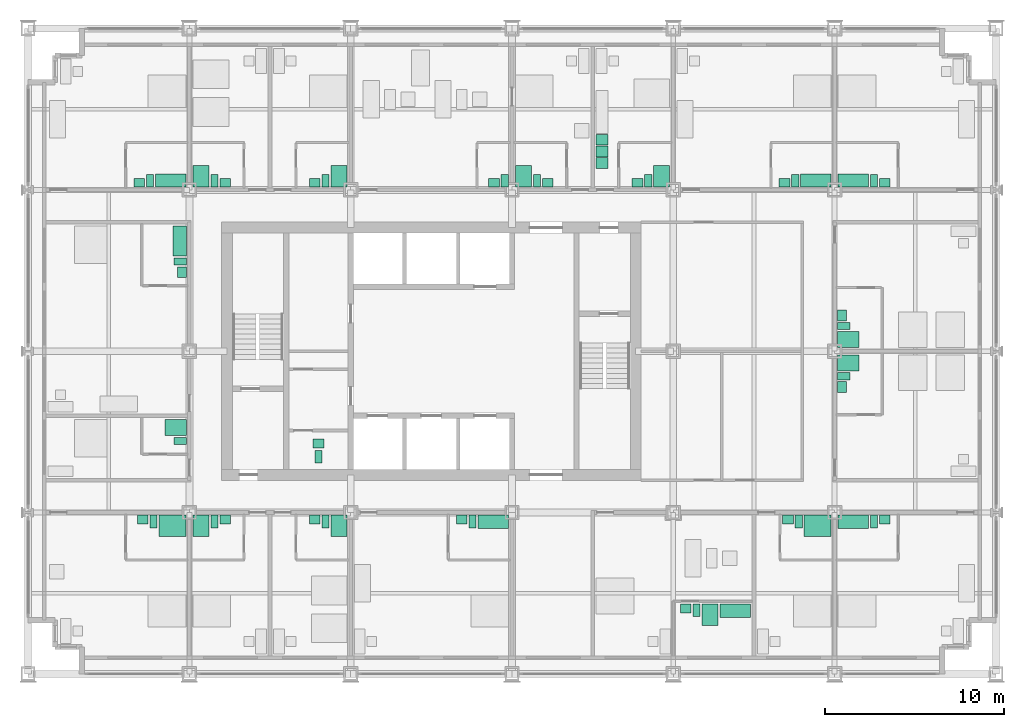
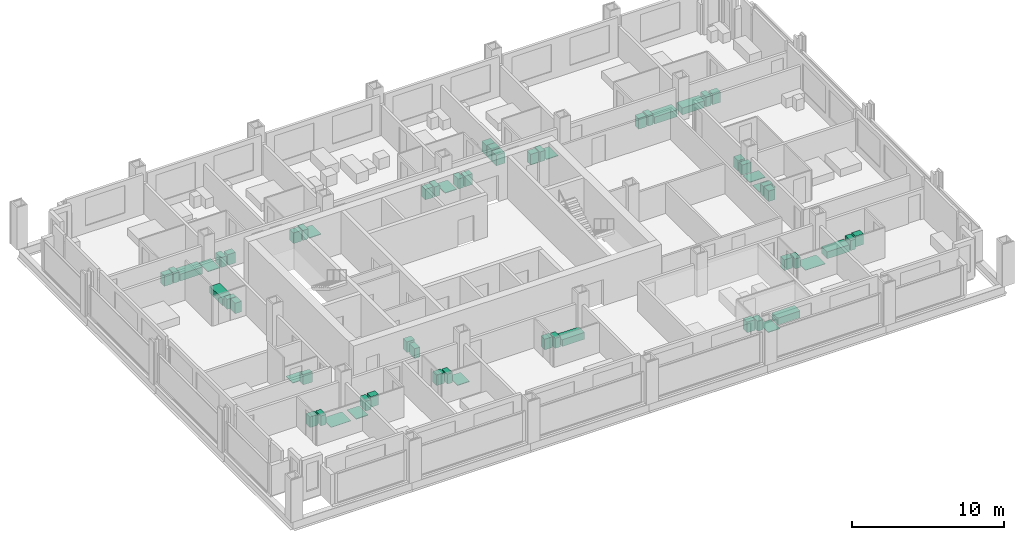
# One storey, part 17 of 18: 58 sanitary terminals, 3 electric appliances.
"""IFC4 building model written with IfcOpenShell, lengths in metres."""

import ifcopenshell
import ifcopenshell.guid

model = None  # the IFC model being written
_history = None  # IfcOwnerHistory: only IFC2X3 demands one
_inside = {}  # id of a spatial element -> (the spatial element, [elements in it])
_under = {}  # id of a project, library or spatial element -> (it, [spatial elements below it])
_declared = {}  # id of a project -> (the project, [libraries it declares])
_typed = {}  # id of a type object -> (the type object, [elements of that type])
_made_of = {}  # id of a material, layer set ... -> (it, [elements and type objects made of it])


def new_model(schema):
    """Start an empty IFC model of exactly this schema.

    Asked for "IFC4X3", IfcOpenShell would pick the latest addendum, in which some entities
    have other attributes; the version numbers below select the first issue.
    IFC2X3 requires an IfcOwnerHistory on every rooted entity: one is made here for all.
    """
    global model, _history
    if schema == "IFC4X3":
        model = ifcopenshell.file(schema_version=(4, 3, 0, 0))
    else:
        model = ifcopenshell.file(schema=schema)
    _inside.clear()
    _under.clear()
    _declared.clear()
    _typed.clear()
    _made_of.clear()
    _history = None
    if model.schema == "IFC2X3":
        org = make("IfcOrganization", Name="unknown")
        user = make(
            "IfcPersonAndOrganization",
            ThePerson=make("IfcPerson", FamilyName="unknown"),
            TheOrganization=org,
        )
        app = make(
            "IfcApplication",
            ApplicationDeveloper=org,
            Version="unknown",
            ApplicationFullName="unknown",
            ApplicationIdentifier="unknown",
        )
        _history = make(
            "IfcOwnerHistory",
            OwningUser=user,
            OwningApplication=app,
            ChangeAction="ADDED",
            CreationDate=0,
        )
    return model


def make(cls, **values):
    """One entity of the class cls with the attributes given. An attribute that is None is left unset."""
    return model.create_entity(
        cls, **{name: value for name, value in values.items() if value is not None}
    )


def rooted(cls, **values):
    """An entity with a GlobalId (a new one), such as an element, a storey or a relation."""
    return make(cls, GlobalId=ifcopenshell.guid.new(), OwnerHistory=_history, **values)


def si_unit(unit_type, name, prefix=None):
    """IfcSIUnit, for example si_unit("LENGTHUNIT", "METRE", prefix="MILLI")."""
    return make("IfcSIUnit", UnitType=unit_type, Prefix=prefix, Name=name)


def assignment(units):
    """IfcUnitAssignment: the units of a project."""
    return None if units is None else make("IfcUnitAssignment", Units=units)


def point(xyz):
    """IfcCartesianPoint."""
    return None if xyz is None else make("IfcCartesianPoint", Coordinates=xyz)


def direction(xyz):
    """IfcDirection."""
    return None if xyz is None else make("IfcDirection", DirectionRatios=xyz)


def frame(location, z_axis=None, x_axis=None):
    """IfcAxis2Placement3D, a coordinate frame: its origin and axes. An axis left out is left unset."""
    return make(
        "IfcAxis2Placement3D",
        Location=point(location),
        Axis=direction(z_axis),
        RefDirection=direction(x_axis),
    )


def frame_2d(location, x_axis=None):
    """IfcAxis2Placement2D, a coordinate frame in the plane: its origin and x axis."""
    return make(
        "IfcAxis2Placement2D", Location=point(location), RefDirection=direction(x_axis)
    )


def origin():
    """The frame at (0, 0, 0) with its axes left unset."""
    return frame((0.0, 0.0, 0.0))


def origin_2d():
    """The frame at (0, 0) in the plane with its x axis left unset."""
    return frame_2d((0.0, 0.0))


def place(relative_to, where):
    """IfcLocalPlacement: puts the frame where relative to a parent placement (None: the world)."""
    return make(
        "IfcLocalPlacement", PlacementRelTo=relative_to, RelativePlacement=where
    )


def context(
    kind, dimensions, precision=None, world=None, true_north=None, identifier=None
):
    """IfcGeometricRepresentationContext, for example the 3D "Model" context."""
    return make(
        "IfcGeometricRepresentationContext",
        ContextIdentifier=identifier,
        ContextType=kind,
        CoordinateSpaceDimension=dimensions,
        Precision=precision,
        WorldCoordinateSystem=world,
        TrueNorth=true_north,
    )


def subcontext(parent, identifier, kind, view, scale=None):
    """IfcGeometricRepresentationSubContext, for example "Body" below "Model"."""
    return make(
        "IfcGeometricRepresentationSubContext",
        ContextIdentifier=identifier,
        ContextType=kind,
        ParentContext=parent,
        TargetScale=scale,
        TargetView=view,
    )


def project(units=None, contexts=None):
    """IfcProject with its units and contexts."""
    return rooted(
        "IfcProject",
        Name="project",
        RepresentationContexts=contexts,
        UnitsInContext=assignment(units),
    )


def spatial(cls, under=None, at=None, **own):
    """A site, building, storey or space (cls), placed at a placement, below another one or the project."""
    s = rooted(cls, ObjectPlacement=at, **own)
    if under is not None:
        _under.setdefault(under.id(), (under, []))[1].append(s)
    return s


def profile(cls, at=None, kind="AREA", **sizes):
    """A parametric profile (cls). Its sizes go by their IFC names, for example OverallWidth=200.0."""
    return make(cls, ProfileType=kind, Position=at, **sizes)


def rectangle(**sizes):
    """IfcRectangleProfileDef."""
    return profile("IfcRectangleProfileDef", **sizes)


def extrude(swept, where, along, depth):
    """IfcExtrudedAreaSolid: the profile swept, set in the frame where, extruded along a direction by depth."""
    return make(
        "IfcExtrudedAreaSolid",
        SweptArea=swept,
        Position=where,
        ExtrudedDirection=direction(along),
        Depth=depth,
    )


def shape(context_of_items, identifier, shape_type, items):
    """IfcShapeRepresentation: the items that make up one representation, for example the "Body"."""
    return make(
        "IfcShapeRepresentation",
        ContextOfItems=context_of_items,
        RepresentationIdentifier=identifier,
        RepresentationType=shape_type,
        Items=items,
    )


def made_of(thing, what):
    """Note that an element or type object is made of a material, layer set ...; save() writes the relation."""
    if what is not None:
        _made_of.setdefault(what.id(), (what, []))[1].append(thing)
    return thing


def element(
    cls,
    number,
    at=None,
    inside=None,
    cuts=None,
    type_object=None,
    material=None,
    context=None,
    identifier="Body",
    shape_type=None,
    held_by="IfcProductDefinitionShape",
    body=None,
    shapes=None,
    **own,
):
    """One element of the class cls, such as IfcWall. Its Tag is "e" and its number.

    at: its placement. inside: the storey or other place that contains it. cuts: it is an
    opening in that element (IfcRelVoidsElement). A single representation is given by context,
    identifier, shape_type and body (its items); several are given by shapes. held_by: the class
    of the entity that holds the representations. save() writes the other relations.
    """
    e = rooted(cls, Tag="e%d" % number, ObjectPlacement=at, **own)
    if body is not None:
        shapes = [shape(context, identifier, shape_type, body)]
    if shapes is not None:
        e.Representation = make(held_by, Representations=shapes)
    if inside is not None:
        _inside.setdefault(inside.id(), (inside, []))[1].append(e)
    if cuts is not None:
        rooted(
            "IfcRelVoidsElement", RelatingBuildingElement=cuts, RelatedOpeningElement=e
        )
    if type_object is not None:
        _typed.setdefault(type_object.id(), (type_object, []))[1].append(e)
    return made_of(e, material)


def aggregate(whole, parts):
    """IfcRelAggregates: a whole, such as a stair, and the parts it consists of."""
    return rooted("IfcRelAggregates", RelatingObject=whole, RelatedObjects=parts)


def save(model, path):
    """Write the relations noted so far, then the file.

    IfcRelAggregates (storeys below a building ...), IfcRelContainedInSpatialStructure (elements
    in a storey), IfcRelDefinesByType, IfcRelAssociatesMaterial and IfcRelDeclares: one each for
    every whole, place, type object, material and project.
    """
    for whole, parts in _under.values():
        aggregate(whole, parts)
    for where, things in _inside.values():
        rooted(
            "IfcRelContainedInSpatialStructure",
            RelatedElements=things,
            RelatingStructure=where,
        )
    for kind, things in _typed.values():
        rooted("IfcRelDefinesByType", RelatedObjects=things, RelatingType=kind)
    for what, things in _made_of.values():
        rooted("IfcRelAssociatesMaterial", RelatedObjects=things, RelatingMaterial=what)
    for by, libraries in _declared.values():
        rooted("IfcRelDeclares", RelatingContext=by, RelatedDefinitions=libraries)
    model.write(path)


model = new_model("IFC4")

# Units and contexts
model_context = context("Model", 3, precision=1e-05, world=origin(), true_north=direction((0.0, 1.0)))
body_context = subcontext(model_context, "Body", "Model", "MODEL_VIEW")
ifc_project = project(units=[si_unit("LENGTHUNIT", "METRE"), si_unit("AREAUNIT", "SQUARE_METRE"), si_unit("VOLUMEUNIT", "CUBIC_METRE"), si_unit("PLANEANGLEUNIT", "RADIAN"), si_unit("MASSUNIT", "GRAM", prefix="KILO")], contexts=[model_context])

# Site, building, storey
site_placement = place(None, origin())
site = spatial("IfcSite", under=ifc_project, at=site_placement, CompositionType="ELEMENT")
building_placement = place(site_placement, origin())
building = spatial("IfcBuilding", under=site, at=building_placement, Name="Loomwork Tower", CompositionType="ELEMENT")
storey_placement = place(building_placement, frame((0.0, 0.0, 34.800048828125)))
storey = spatial("IfcBuildingStorey", under=building, at=storey_placement, Name="L07", CompositionType="ELEMENT", Elevation=34.800048828125)

# Sanitary terminals
sanitary_terminal_1_placement = place(storey_placement, frame((8.050048828125, 8.25, 0.0), z_axis=(0.0, 0.0, 1.0), x_axis=(1.0, 0.0, 0.0)))
element("IfcSanitaryTerminal", 1, at=sanitary_terminal_1_placement, inside=storey, Name="Roll-in shower floor L07", PredefinedType="SHOWER", context=body_context, shape_type="SweptSolid", body=[
    extrude(rectangle(XDim=1.5, YDim=1.199951171875, at=origin_2d()), origin(), (0.0, 0.0, 1.0), 0.030029296875),
])
sanitary_terminal_2_placement = place(storey_placement, frame((7.0, 8.5, 0.0), z_axis=(0.0, 0.0, 1.0), x_axis=(1.0, 0.0, 0.0)))
element("IfcSanitaryTerminal", 2, at=sanitary_terminal_2_placement, inside=storey, Name="WC L07", PredefinedType="TOILETPAN", context=body_context, shape_type="SweptSolid", body=[
    extrude(rectangle(XDim=0.39990234375, YDim=0.699951171875, at=origin_2d()), origin(), (0.0, 0.0, 1.0), 0.800048828125),
])
sanitary_terminal_3_placement = place(storey_placement, frame((6.39990234375, 8.60009765625, 0.0), z_axis=(0.0, 0.0, 1.0), x_axis=(1.0, 0.0, 0.0)))
element("IfcSanitaryTerminal", 3, at=sanitary_terminal_3_placement, inside=storey, Name="Basin vanity L07", PredefinedType="WASHHANDBASIN", context=body_context, shape_type="SweptSolid", body=[
    extrude(rectangle(XDim=0.60009765625, YDim=0.5, at=origin_2d()), origin(), (0.0, 0.0, 1.0), 0.85009765625),
])
sanitary_terminal_4_placement = place(storey_placement, frame((9.64990234375, 8.25, 0.0), z_axis=(0.0, 0.0, 1.0), x_axis=(1.0, 0.0, 0.0)))
element("IfcSanitaryTerminal", 4, at=sanitary_terminal_4_placement, inside=storey, Name="Shower tray L07", PredefinedType="SHOWER", context=body_context, shape_type="SweptSolid", body=[
    extrude(rectangle(XDim=0.89990234375, YDim=1.199951171875, at=origin_2d()), origin(), (0.0, 0.0, 1.0), 0.050048828125),
])
sanitary_terminal_5_placement = place(storey_placement, frame((10.39990234375, 8.5, 0.0), z_axis=(0.0, 0.0, 1.0), x_axis=(1.0, 0.0, 0.0)))
element("IfcSanitaryTerminal", 5, at=sanitary_terminal_5_placement, inside=storey, Name="WC L07", PredefinedType="TOILETPAN", context=body_context, shape_type="SweptSolid", body=[
    extrude(rectangle(XDim=0.39990234375, YDim=0.699951171875, at=origin_2d()), origin(), (0.0, 0.0, 1.0), 0.800048828125),
])
sanitary_terminal_6_placement = place(storey_placement, frame((11.0, 8.60009765625, 0.0), z_axis=(0.0, 0.0, 1.0), x_axis=(1.0, 0.0, 0.0)))
element("IfcSanitaryTerminal", 6, at=sanitary_terminal_6_placement, inside=storey, Name="Basin vanity L07", PredefinedType="WASHHANDBASIN", context=body_context, shape_type="SweptSolid", body=[
    extrude(rectangle(XDim=0.60009765625, YDim=0.5, at=origin_2d()), origin(), (0.0, 0.0, 1.0), 0.85009765625),
])
sanitary_terminal_7_placement = place(storey_placement, frame((17.35009765625, 8.25, 0.0), z_axis=(0.0, 0.0, 1.0), x_axis=(1.0, 0.0, 0.0)))
element("IfcSanitaryTerminal", 7, at=sanitary_terminal_7_placement, inside=storey, Name="Shower tray L07", PredefinedType="SHOWER", context=body_context, shape_type="SweptSolid", body=[
    extrude(rectangle(XDim=0.89990234375, YDim=1.199951171875, at=origin_2d()), origin(), (0.0, 0.0, 1.0), 0.050048828125),
])
sanitary_terminal_8_placement = place(storey_placement, frame((16.60009765625, 8.5, 0.0), z_axis=(0.0, 0.0, 1.0), x_axis=(1.0, 0.0, 0.0)))
element("IfcSanitaryTerminal", 8, at=sanitary_terminal_8_placement, inside=storey, Name="WC L07", PredefinedType="TOILETPAN", context=body_context, shape_type="SweptSolid", body=[
    extrude(rectangle(XDim=0.39990234375, YDim=0.699951171875, at=origin_2d()), origin(), (0.0, 0.0, 1.0), 0.800048828125),
])
sanitary_terminal_9_placement = place(storey_placement, frame((16.0, 8.60009765625, 0.0), z_axis=(0.0, 0.0, 1.0), x_axis=(1.0, 0.0, 0.0)))
element("IfcSanitaryTerminal", 9, at=sanitary_terminal_9_placement, inside=storey, Name="Basin vanity L07", PredefinedType="WASHHANDBASIN", context=body_context, shape_type="SweptSolid", body=[
    extrude(rectangle(XDim=0.60009765625, YDim=0.5, at=origin_2d()), origin(), (0.0, 0.0, 1.0), 0.85009765625),
])
sanitary_terminal_10_placement = place(storey_placement, frame((25.949951171875, 8.47509765625, 0.0), z_axis=(0.0, 0.0, 1.0), x_axis=(1.0, 0.0, 0.0)))
element("IfcSanitaryTerminal", 10, at=sanitary_terminal_10_placement, inside=storey, Name="Bath L07", PredefinedType="BATH", context=body_context, shape_type="SweptSolid", body=[
    extrude(rectangle(XDim=1.699951171875, YDim=0.75, at=origin_2d()), origin(), (0.0, 0.0, 1.0), 0.550048828125),
])
sanitary_terminal_11_placement = place(storey_placement, frame((24.800048828125, 8.5, 0.0), z_axis=(0.0, 0.0, 1.0), x_axis=(1.0, 0.0, 0.0)))
element("IfcSanitaryTerminal", 11, at=sanitary_terminal_11_placement, inside=storey, Name="WC L07", PredefinedType="TOILETPAN", context=body_context, shape_type="SweptSolid", body=[
    extrude(rectangle(XDim=0.39990234375, YDim=0.699951171875, at=origin_2d()), origin(), (0.0, 0.0, 1.0), 0.800048828125),
])
sanitary_terminal_12_placement = place(storey_placement, frame((24.199951171875, 8.60009765625, 0.0), z_axis=(0.0, 0.0, 1.0), x_axis=(1.0, 0.0, 0.0)))
element("IfcSanitaryTerminal", 12, at=sanitary_terminal_12_placement, inside=storey, Name="Basin vanity L07", PredefinedType="WASHHANDBASIN", context=body_context, shape_type="SweptSolid", body=[
    extrude(rectangle(XDim=0.60009765625, YDim=0.5, at=origin_2d()), origin(), (0.0, 0.0, 1.0), 0.85009765625),
])
sanitary_terminal_13_placement = place(storey_placement, frame((39.449951171875, 3.52490234375, 0.0), z_axis=(0.0, 0.0, 1.0), x_axis=(1.0, 0.0, 0.0)))
element("IfcSanitaryTerminal", 13, at=sanitary_terminal_13_placement, inside=storey, Name="Bath L07", PredefinedType="BATH", context=body_context, shape_type="SweptSolid", body=[
    extrude(rectangle(XDim=1.699951171875, YDim=0.75, at=origin_2d()), origin(), (0.0, 0.0, 1.0), 0.550048828125),
])
sanitary_terminal_14_placement = place(storey_placement, frame((38.050048828125, 3.300048828125, 0.0), z_axis=(0.0, 0.0, 1.0), x_axis=(1.0, 0.0, 0.0)))
element("IfcSanitaryTerminal", 14, at=sanitary_terminal_14_placement, inside=storey, Name="Shower tray L07", PredefinedType="SHOWER", context=body_context, shape_type="SweptSolid", body=[
    extrude(rectangle(XDim=0.89990234375, YDim=1.199951171875, at=origin_2d()), origin(), (0.0, 0.0, 1.0), 0.050048828125),
])
sanitary_terminal_15_placement = place(storey_placement, frame((37.300048828125, 3.550048828125, 0.0), z_axis=(0.0, 0.0, 1.0), x_axis=(1.0, 0.0, 0.0)))
element("IfcSanitaryTerminal", 15, at=sanitary_terminal_15_placement, inside=storey, Name="WC L07", PredefinedType="TOILETPAN", context=body_context, shape_type="SweptSolid", body=[
    extrude(rectangle(XDim=0.39990234375, YDim=0.699951171875, at=origin_2d()), origin(), (0.0, 0.0, 1.0), 0.800048828125),
])
sanitary_terminal_16_placement = place(storey_placement, frame((36.699951171875, 3.64990234375, 0.0), z_axis=(0.0, 0.0, 1.0), x_axis=(1.0, 0.0, 0.0)))
element("IfcSanitaryTerminal", 16, at=sanitary_terminal_16_placement, inside=storey, Name="Basin vanity L07", PredefinedType="WASHHANDBASIN", context=body_context, shape_type="SweptSolid", body=[
    extrude(rectangle(XDim=0.60009765625, YDim=0.5, at=origin_2d()), origin(), (0.0, 0.0, 1.0), 0.85009765625),
])
sanitary_terminal_17_placement = place(storey_placement, frame((44.050048828125, 8.25, 0.0), z_axis=(0.0, 0.0, 1.0), x_axis=(1.0, 0.0, 0.0)))
element("IfcSanitaryTerminal", 17, at=sanitary_terminal_17_placement, inside=storey, Name="Roll-in shower floor L07", PredefinedType="SHOWER", context=body_context, shape_type="SweptSolid", body=[
    extrude(rectangle(XDim=1.5, YDim=1.199951171875, at=origin_2d()), origin(), (0.0, 0.0, 1.0), 0.030029296875),
])
sanitary_terminal_18_placement = place(storey_placement, frame((43.0, 8.5, 0.0), z_axis=(0.0, 0.0, 1.0), x_axis=(1.0, 0.0, 0.0)))
element("IfcSanitaryTerminal", 18, at=sanitary_terminal_18_placement, inside=storey, Name="WC L07", PredefinedType="TOILETPAN", context=body_context, shape_type="SweptSolid", body=[
    extrude(rectangle(XDim=0.39990234375, YDim=0.699951171875, at=origin_2d()), origin(), (0.0, 0.0, 1.0), 0.800048828125),
])
sanitary_terminal_19_placement = place(storey_placement, frame((42.39990234375, 8.60009765625, 0.0), z_axis=(0.0, 0.0, 1.0), x_axis=(1.0, 0.0, 0.0)))
element("IfcSanitaryTerminal", 19, at=sanitary_terminal_19_placement, inside=storey, Name="Basin vanity L07", PredefinedType="WASHHANDBASIN", context=body_context, shape_type="SweptSolid", body=[
    extrude(rectangle(XDim=0.60009765625, YDim=0.5, at=origin_2d()), origin(), (0.0, 0.0, 1.0), 0.85009765625),
])
sanitary_terminal_20_placement = place(storey_placement, frame((46.050048828125, 8.47509765625, 0.0), z_axis=(0.0, 0.0, 1.0), x_axis=(1.0, 0.0, 0.0)))
element("IfcSanitaryTerminal", 20, at=sanitary_terminal_20_placement, inside=storey, Name="Bath L07", PredefinedType="BATH", context=body_context, shape_type="SweptSolid", body=[
    extrude(rectangle(XDim=1.699951171875, YDim=0.75, at=origin_2d()), origin(), (0.0, 0.0, 1.0), 0.550048828125),
])
sanitary_terminal_21_placement = place(storey_placement, frame((47.199951171875, 8.5, 0.0), z_axis=(0.0, 0.0, 1.0), x_axis=(1.0, 0.0, 0.0)))
element("IfcSanitaryTerminal", 21, at=sanitary_terminal_21_placement, inside=storey, Name="WC L07", PredefinedType="TOILETPAN", context=body_context, shape_type="SweptSolid", body=[
    extrude(rectangle(XDim=0.39990234375, YDim=0.699951171875, at=origin_2d()), origin(), (0.0, 0.0, 1.0), 0.800048828125),
])
sanitary_terminal_22_placement = place(storey_placement, frame((47.800048828125, 8.60009765625, 0.0), z_axis=(0.0, 0.0, 1.0), x_axis=(1.0, 0.0, 0.0)))
element("IfcSanitaryTerminal", 22, at=sanitary_terminal_22_placement, inside=storey, Name="Basin vanity L07", PredefinedType="WASHHANDBASIN", context=body_context, shape_type="SweptSolid", body=[
    extrude(rectangle(XDim=0.60009765625, YDim=0.5, at=origin_2d()), origin(), (0.0, 0.0, 1.0), 0.85009765625),
])
sanitary_terminal_23_placement = place(storey_placement, frame((7.949951171875, 27.52490234375, 0.0), z_axis=(0.0, 0.0, 1.0), x_axis=(1.0, 0.0, 0.0)))
element("IfcSanitaryTerminal", 23, at=sanitary_terminal_23_placement, inside=storey, Name="Bath L07", PredefinedType="BATH", context=body_context, shape_type="SweptSolid", body=[
    extrude(rectangle(XDim=1.699951171875, YDim=0.75, at=origin_2d()), origin(), (0.0, 0.0, 1.0), 0.550048828125),
])
sanitary_terminal_24_placement = place(storey_placement, frame((6.800048828125, 27.5, 0.0), z_axis=(0.0, 0.0, 1.0), x_axis=(1.0, 0.0, 0.0)))
element("IfcSanitaryTerminal", 24, at=sanitary_terminal_24_placement, inside=storey, Name="WC L07", PredefinedType="TOILETPAN", context=body_context, shape_type="SweptSolid", body=[
    extrude(rectangle(XDim=0.39990234375, YDim=0.699951171875, at=origin_2d()), origin(), (0.0, 0.0, 1.0), 0.800048828125),
])
sanitary_terminal_25_placement = place(storey_placement, frame((6.199951171875, 27.39990234375, 0.0), z_axis=(0.0, 0.0, 1.0), x_axis=(1.0, 0.0, 0.0)))
element("IfcSanitaryTerminal", 25, at=sanitary_terminal_25_placement, inside=storey, Name="Basin vanity L07", PredefinedType="WASHHANDBASIN", context=body_context, shape_type="SweptSolid", body=[
    extrude(rectangle(XDim=0.60009765625, YDim=0.5, at=origin_2d()), origin(), (0.0, 0.0, 1.0), 0.85009765625),
])
sanitary_terminal_26_placement = place(storey_placement, frame((9.64990234375, 27.75, 0.0), z_axis=(0.0, 0.0, 1.0), x_axis=(1.0, 0.0, 0.0)))
element("IfcSanitaryTerminal", 26, at=sanitary_terminal_26_placement, inside=storey, Name="Shower tray L07", PredefinedType="SHOWER", context=body_context, shape_type="SweptSolid", body=[
    extrude(rectangle(XDim=0.89990234375, YDim=1.199951171875, at=origin_2d()), origin(), (0.0, 0.0, 1.0), 0.050048828125),
])
sanitary_terminal_27_placement = place(storey_placement, frame((10.39990234375, 27.5, 0.0), z_axis=(0.0, 0.0, 1.0), x_axis=(1.0, 0.0, 0.0)))
element("IfcSanitaryTerminal", 27, at=sanitary_terminal_27_placement, inside=storey, Name="WC L07", PredefinedType="TOILETPAN", context=body_context, shape_type="SweptSolid", body=[
    extrude(rectangle(XDim=0.39990234375, YDim=0.699951171875, at=origin_2d()), origin(), (0.0, 0.0, 1.0), 0.800048828125),
])
sanitary_terminal_28_placement = place(storey_placement, frame((11.0, 27.39990234375, 0.0), z_axis=(0.0, 0.0, 1.0), x_axis=(1.0, 0.0, 0.0)))
element("IfcSanitaryTerminal", 28, at=sanitary_terminal_28_placement, inside=storey, Name="Basin vanity L07", PredefinedType="WASHHANDBASIN", context=body_context, shape_type="SweptSolid", body=[
    extrude(rectangle(XDim=0.60009765625, YDim=0.5, at=origin_2d()), origin(), (0.0, 0.0, 1.0), 0.85009765625),
])
sanitary_terminal_29_placement = place(storey_placement, frame((17.35009765625, 27.75, 0.0), z_axis=(0.0, 0.0, 1.0), x_axis=(1.0, 0.0, 0.0)))
element("IfcSanitaryTerminal", 29, at=sanitary_terminal_29_placement, inside=storey, Name="Shower tray L07", PredefinedType="SHOWER", context=body_context, shape_type="SweptSolid", body=[
    extrude(rectangle(XDim=0.89990234375, YDim=1.199951171875, at=origin_2d()), origin(), (0.0, 0.0, 1.0), 0.050048828125),
])
sanitary_terminal_30_placement = place(storey_placement, frame((16.60009765625, 27.5, 0.0), z_axis=(0.0, 0.0, 1.0), x_axis=(1.0, 0.0, 0.0)))
element("IfcSanitaryTerminal", 30, at=sanitary_terminal_30_placement, inside=storey, Name="WC L07", PredefinedType="TOILETPAN", context=body_context, shape_type="SweptSolid", body=[
    extrude(rectangle(XDim=0.39990234375, YDim=0.699951171875, at=origin_2d()), origin(), (0.0, 0.0, 1.0), 0.800048828125),
])
sanitary_terminal_31_placement = place(storey_placement, frame((16.0, 27.39990234375, 0.0), z_axis=(0.0, 0.0, 1.0), x_axis=(1.0, 0.0, 0.0)))
element("IfcSanitaryTerminal", 31, at=sanitary_terminal_31_placement, inside=storey, Name="Basin vanity L07", PredefinedType="WASHHANDBASIN", context=body_context, shape_type="SweptSolid", body=[
    extrude(rectangle(XDim=0.60009765625, YDim=0.5, at=origin_2d()), origin(), (0.0, 0.0, 1.0), 0.85009765625),
])
sanitary_terminal_32_placement = place(storey_placement, frame((26.60009765625, 27.5, 0.0), z_axis=(0.0, 0.0, 1.0), x_axis=(1.0, 0.0, 0.0)))
element("IfcSanitaryTerminal", 32, at=sanitary_terminal_32_placement, inside=storey, Name="WC L07", PredefinedType="TOILETPAN", context=body_context, shape_type="SweptSolid", body=[
    extrude(rectangle(XDim=0.39990234375, YDim=0.699951171875, at=origin_2d()), origin(), (0.0, 0.0, 1.0), 0.800048828125),
])
sanitary_terminal_33_placement = place(storey_placement, frame((26.0, 27.39990234375, 0.0), z_axis=(0.0, 0.0, 1.0), x_axis=(1.0, 0.0, 0.0)))
element("IfcSanitaryTerminal", 33, at=sanitary_terminal_33_placement, inside=storey, Name="Basin vanity L07", PredefinedType="WASHHANDBASIN", context=body_context, shape_type="SweptSolid", body=[
    extrude(rectangle(XDim=0.60009765625, YDim=0.5, at=origin_2d()), origin(), (0.0, 0.0, 1.0), 0.85009765625),
])
sanitary_terminal_34_placement = place(storey_placement, frame((27.64990234375, 27.75, 0.0), z_axis=(0.0, 0.0, 1.0), x_axis=(1.0, 0.0, 0.0)))
element("IfcSanitaryTerminal", 34, at=sanitary_terminal_34_placement, inside=storey, Name="Shower tray L07", PredefinedType="SHOWER", context=body_context, shape_type="SweptSolid", body=[
    extrude(rectangle(XDim=0.89990234375, YDim=1.199951171875, at=origin_2d()), origin(), (0.0, 0.0, 1.0), 0.050048828125),
])
sanitary_terminal_35_placement = place(storey_placement, frame((28.39990234375, 27.5, 0.0), z_axis=(0.0, 0.0, 1.0), x_axis=(1.0, 0.0, 0.0)))
element("IfcSanitaryTerminal", 35, at=sanitary_terminal_35_placement, inside=storey, Name="WC L07", PredefinedType="TOILETPAN", context=body_context, shape_type="SweptSolid", body=[
    extrude(rectangle(XDim=0.39990234375, YDim=0.699951171875, at=origin_2d()), origin(), (0.0, 0.0, 1.0), 0.800048828125),
])
sanitary_terminal_36_placement = place(storey_placement, frame((29.0, 27.39990234375, 0.0), z_axis=(0.0, 0.0, 1.0), x_axis=(1.0, 0.0, 0.0)))
element("IfcSanitaryTerminal", 36, at=sanitary_terminal_36_placement, inside=storey, Name="Basin vanity L07", PredefinedType="WASHHANDBASIN", context=body_context, shape_type="SweptSolid", body=[
    extrude(rectangle(XDim=0.60009765625, YDim=0.5, at=origin_2d()), origin(), (0.0, 0.0, 1.0), 0.85009765625),
])
sanitary_terminal_37_placement = place(storey_placement, frame((35.35009765625, 27.75, 0.0), z_axis=(0.0, 0.0, 1.0), x_axis=(1.0, 0.0, 0.0)))
element("IfcSanitaryTerminal", 37, at=sanitary_terminal_37_placement, inside=storey, Name="Shower tray L07", PredefinedType="SHOWER", context=body_context, shape_type="SweptSolid", body=[
    extrude(rectangle(XDim=0.89990234375, YDim=1.199951171875, at=origin_2d()), origin(), (0.0, 0.0, 1.0), 0.050048828125),
])
sanitary_terminal_38_placement = place(storey_placement, frame((34.60009765625, 27.5, 0.0), z_axis=(0.0, 0.0, 1.0), x_axis=(1.0, 0.0, 0.0)))
element("IfcSanitaryTerminal", 38, at=sanitary_terminal_38_placement, inside=storey, Name="WC L07", PredefinedType="TOILETPAN", context=body_context, shape_type="SweptSolid", body=[
    extrude(rectangle(XDim=0.39990234375, YDim=0.699951171875, at=origin_2d()), origin(), (0.0, 0.0, 1.0), 0.800048828125),
])
sanitary_terminal_39_placement = place(storey_placement, frame((34.0, 27.39990234375, 0.0), z_axis=(0.0, 0.0, 1.0), x_axis=(1.0, 0.0, 0.0)))
element("IfcSanitaryTerminal", 39, at=sanitary_terminal_39_placement, inside=storey, Name="Basin vanity L07", PredefinedType="WASHHANDBASIN", context=body_context, shape_type="SweptSolid", body=[
    extrude(rectangle(XDim=0.60009765625, YDim=0.5, at=origin_2d()), origin(), (0.0, 0.0, 1.0), 0.85009765625),
])

# Electric appliances
electric_appliance_1_placement = place(storey_placement, frame((32.02490234375, 28.5, 0.0), z_axis=(0.0, 0.0, 1.0), x_axis=(1.0, 0.0, 0.0)))
element("IfcElectricAppliance", 40, at=electric_appliance_1_placement, inside=storey, Name="Refrigerator L07", PredefinedType="REFRIGERATOR", context=body_context, shape_type="SweptSolid", body=[
    extrude(rectangle(XDim=0.64990234375, YDim=0.60009765625, at=origin_2d()), origin(), (0.0, 0.0, 1.0), 0.85009765625),
])
electric_appliance_2_placement = place(storey_placement, frame((32.02490234375, 29.14990234375, 0.0), z_axis=(0.0, 0.0, 1.0), x_axis=(1.0, 0.0, 0.0)))
element("IfcElectricAppliance", 41, at=electric_appliance_2_placement, inside=storey, Name="Two-ring cooktop and oven L07", PredefinedType="ELECTRICCOOKER", context=body_context, shape_type="SweptSolid", body=[
    extrude(rectangle(XDim=0.64990234375, YDim=0.60009765625, at=origin_2d()), origin(), (0.0, 0.0, 1.0), 0.89990234375),
])
electric_appliance_3_placement = place(storey_placement, frame((32.02490234375, 29.800048828125, 0.0), z_axis=(0.0, 0.0, 1.0), x_axis=(1.0, 0.0, 0.0)))
element("IfcElectricAppliance", 42, at=electric_appliance_3_placement, inside=storey, Name="Dishwasher L07", PredefinedType="DISHWASHER", context=body_context, shape_type="SweptSolid", body=[
    extrude(rectangle(XDim=0.64990234375, YDim=0.60009765625, at=origin_2d()), origin(), (0.0, 0.0, 1.0), 0.85009765625),
])

# Sanitary terminals
sanitary_terminal_40_placement = place(storey_placement, frame((43.949951171875, 27.52490234375, 0.0), z_axis=(0.0, 0.0, 1.0), x_axis=(1.0, 0.0, 0.0)))
element("IfcSanitaryTerminal", 43, at=sanitary_terminal_40_placement, inside=storey, Name="Bath L07", PredefinedType="BATH", context=body_context, shape_type="SweptSolid", body=[
    extrude(rectangle(XDim=1.699951171875, YDim=0.75, at=origin_2d()), origin(), (0.0, 0.0, 1.0), 0.550048828125),
])
sanitary_terminal_41_placement = place(storey_placement, frame((42.800048828125, 27.5, 0.0), z_axis=(0.0, 0.0, 1.0), x_axis=(1.0, 0.0, 0.0)))
element("IfcSanitaryTerminal", 44, at=sanitary_terminal_41_placement, inside=storey, Name="WC L07", PredefinedType="TOILETPAN", context=body_context, shape_type="SweptSolid", body=[
    extrude(rectangle(XDim=0.39990234375, YDim=0.699951171875, at=origin_2d()), origin(), (0.0, 0.0, 1.0), 0.800048828125),
])
sanitary_terminal_42_placement = place(storey_placement, frame((42.199951171875, 27.39990234375, 0.0), z_axis=(0.0, 0.0, 1.0), x_axis=(1.0, 0.0, 0.0)))
element("IfcSanitaryTerminal", 45, at=sanitary_terminal_42_placement, inside=storey, Name="Basin vanity L07", PredefinedType="WASHHANDBASIN", context=body_context, shape_type="SweptSolid", body=[
    extrude(rectangle(XDim=0.60009765625, YDim=0.5, at=origin_2d()), origin(), (0.0, 0.0, 1.0), 0.85009765625),
])
sanitary_terminal_43_placement = place(storey_placement, frame((46.050048828125, 27.52490234375, 0.0), z_axis=(0.0, 0.0, 1.0), x_axis=(1.0, 0.0, 0.0)))
element("IfcSanitaryTerminal", 46, at=sanitary_terminal_43_placement, inside=storey, Name="Bath L07", PredefinedType="BATH", context=body_context, shape_type="SweptSolid", body=[
    extrude(rectangle(XDim=1.699951171875, YDim=0.75, at=origin_2d()), origin(), (0.0, 0.0, 1.0), 0.550048828125),
])
sanitary_terminal_44_placement = place(storey_placement, frame((47.199951171875, 27.5, 0.0), z_axis=(0.0, 0.0, 1.0), x_axis=(1.0, 0.0, 0.0)))
element("IfcSanitaryTerminal", 47, at=sanitary_terminal_44_placement, inside=storey, Name="WC L07", PredefinedType="TOILETPAN", context=body_context, shape_type="SweptSolid", body=[
    extrude(rectangle(XDim=0.39990234375, YDim=0.699951171875, at=origin_2d()), origin(), (0.0, 0.0, 1.0), 0.800048828125),
])
sanitary_terminal_45_placement = place(storey_placement, frame((47.800048828125, 27.39990234375, 0.0), z_axis=(0.0, 0.0, 1.0), x_axis=(1.0, 0.0, 0.0)))
element("IfcSanitaryTerminal", 48, at=sanitary_terminal_45_placement, inside=storey, Name="Basin vanity L07", PredefinedType="WASHHANDBASIN", context=body_context, shape_type="SweptSolid", body=[
    extrude(rectangle(XDim=0.60009765625, YDim=0.5, at=origin_2d()), origin(), (0.0, 0.0, 1.0), 0.85009765625),
])
sanitary_terminal_46_placement = place(storey_placement, frame((8.25, 13.75, 0.0), z_axis=(0.0, 0.0, 1.0), x_axis=(1.0, 0.0, 0.0)))
element("IfcSanitaryTerminal", 49, at=sanitary_terminal_46_placement, inside=storey, Name="Shower tray L07", PredefinedType="SHOWER", context=body_context, shape_type="SweptSolid", body=[
    extrude(rectangle(XDim=1.199951171875, YDim=0.89990234375, at=origin_2d()), origin(), (0.0, 0.0, 1.0), 0.050048828125),
])
sanitary_terminal_47_placement = place(storey_placement, frame((8.5, 13.0, 0.0), z_axis=(0.0, 0.0, 1.0), x_axis=(1.0, 0.0, 0.0)))
element("IfcSanitaryTerminal", 50, at=sanitary_terminal_47_placement, inside=storey, Name="WC L07", PredefinedType="TOILETPAN", context=body_context, shape_type="SweptSolid", body=[
    extrude(rectangle(XDim=0.699951171875, YDim=0.39990234375, at=origin_2d()), origin(), (0.0, 0.0, 1.0), 0.800048828125),
])
sanitary_terminal_48_placement = place(storey_placement, frame((8.47509765625, 24.14990234375, 0.0), z_axis=(0.0, 0.0, 1.0), x_axis=(1.0, 0.0, 0.0)))
element("IfcSanitaryTerminal", 51, at=sanitary_terminal_48_placement, inside=storey, Name="Bath L07", PredefinedType="BATH", context=body_context, shape_type="SweptSolid", body=[
    extrude(rectangle(XDim=0.75, YDim=1.699951171875, at=origin_2d()), origin(), (0.0, 0.0, 1.0), 0.550048828125),
])
sanitary_terminal_49_placement = place(storey_placement, frame((8.5, 23.0, 0.0), z_axis=(0.0, 0.0, 1.0), x_axis=(1.0, 0.0, 0.0)))
element("IfcSanitaryTerminal", 52, at=sanitary_terminal_49_placement, inside=storey, Name="WC L07", PredefinedType="TOILETPAN", context=body_context, shape_type="SweptSolid", body=[
    extrude(rectangle(XDim=0.699951171875, YDim=0.39990234375, at=origin_2d()), origin(), (0.0, 0.0, 1.0), 0.800048828125),
])
sanitary_terminal_50_placement = place(storey_placement, frame((8.60009765625, 22.39990234375, 0.0), z_axis=(0.0, 0.0, 1.0), x_axis=(1.0, 0.0, 0.0)))
element("IfcSanitaryTerminal", 53, at=sanitary_terminal_50_placement, inside=storey, Name="Basin vanity L07", PredefinedType="WASHHANDBASIN", context=body_context, shape_type="SweptSolid", body=[
    extrude(rectangle(XDim=0.5, YDim=0.60009765625, at=origin_2d()), origin(), (0.0, 0.0, 1.0), 0.85009765625),
])
sanitary_terminal_51_placement = place(storey_placement, frame((45.75, 17.35009765625, 0.0), z_axis=(0.0, 0.0, 1.0), x_axis=(1.0, 0.0, 0.0)))
element("IfcSanitaryTerminal", 54, at=sanitary_terminal_51_placement, inside=storey, Name="Shower tray L07", PredefinedType="SHOWER", context=body_context, shape_type="SweptSolid", body=[
    extrude(rectangle(XDim=1.199951171875, YDim=0.89990234375, at=origin_2d()), origin(), (0.0, 0.0, 1.0), 0.050048828125),
])
sanitary_terminal_52_placement = place(storey_placement, frame((45.5, 16.60009765625, 0.0), z_axis=(0.0, 0.0, 1.0), x_axis=(1.0, 0.0, 0.0)))
element("IfcSanitaryTerminal", 55, at=sanitary_terminal_52_placement, inside=storey, Name="WC L07", PredefinedType="TOILETPAN", context=body_context, shape_type="SweptSolid", body=[
    extrude(rectangle(XDim=0.699951171875, YDim=0.39990234375, at=origin_2d()), origin(), (0.0, 0.0, 1.0), 0.800048828125),
])
sanitary_terminal_53_placement = place(storey_placement, frame((45.39990234375, 16.0, 0.0), z_axis=(0.0, 0.0, 1.0), x_axis=(1.0, 0.0, 0.0)))
element("IfcSanitaryTerminal", 56, at=sanitary_terminal_53_placement, inside=storey, Name="Basin vanity L07", PredefinedType="WASHHANDBASIN", context=body_context, shape_type="SweptSolid", body=[
    extrude(rectangle(XDim=0.5, YDim=0.60009765625, at=origin_2d()), origin(), (0.0, 0.0, 1.0), 0.85009765625),
])
sanitary_terminal_54_placement = place(storey_placement, frame((45.75, 18.64990234375, 0.0), z_axis=(0.0, 0.0, 1.0), x_axis=(1.0, 0.0, 0.0)))
element("IfcSanitaryTerminal", 57, at=sanitary_terminal_54_placement, inside=storey, Name="Shower tray L07", PredefinedType="SHOWER", context=body_context, shape_type="SweptSolid", body=[
    extrude(rectangle(XDim=1.199951171875, YDim=0.89990234375, at=origin_2d()), origin(), (0.0, 0.0, 1.0), 0.050048828125),
])
sanitary_terminal_55_placement = place(storey_placement, frame((45.5, 19.39990234375, 0.0), z_axis=(0.0, 0.0, 1.0), x_axis=(1.0, 0.0, 0.0)))
element("IfcSanitaryTerminal", 58, at=sanitary_terminal_55_placement, inside=storey, Name="WC L07", PredefinedType="TOILETPAN", context=body_context, shape_type="SweptSolid", body=[
    extrude(rectangle(XDim=0.699951171875, YDim=0.39990234375, at=origin_2d()), origin(), (0.0, 0.0, 1.0), 0.800048828125),
])
sanitary_terminal_56_placement = place(storey_placement, frame((45.39990234375, 20.0, 0.0), z_axis=(0.0, 0.0, 1.0), x_axis=(1.0, 0.0, 0.0)))
element("IfcSanitaryTerminal", 59, at=sanitary_terminal_56_placement, inside=storey, Name="Basin vanity L07", PredefinedType="WASHHANDBASIN", context=body_context, shape_type="SweptSolid", body=[
    extrude(rectangle(XDim=0.5, YDim=0.60009765625, at=origin_2d()), origin(), (0.0, 0.0, 1.0), 0.85009765625),
])
sanitary_terminal_57_placement = place(storey_placement, frame((16.199951171875, 12.10009765625, 0.0), z_axis=(0.0, 0.0, 1.0), x_axis=(1.0, 0.0, 0.0)))
element("IfcSanitaryTerminal", 60, at=sanitary_terminal_57_placement, inside=storey, Name="WC L07", PredefinedType="TOILETPAN", context=body_context, shape_type="SweptSolid", body=[
    extrude(rectangle(XDim=0.39990234375, YDim=0.699951171875, at=origin_2d()), origin(), (0.0, 0.0, 1.0), 0.800048828125),
])
sanitary_terminal_58_placement = place(storey_placement, frame((16.199951171875, 12.85009765625, 0.0), z_axis=(0.0, 0.0, 1.0), x_axis=(1.0, 0.0, 0.0)))
element("IfcSanitaryTerminal", 61, at=sanitary_terminal_58_placement, inside=storey, Name="Basin L07", PredefinedType="WASHHANDBASIN", context=body_context, shape_type="SweptSolid", body=[
    extrude(rectangle(XDim=0.60009765625, YDim=0.5, at=origin_2d()), origin(), (0.0, 0.0, 1.0), 0.85009765625),
])

save(model, "model.ifc")
